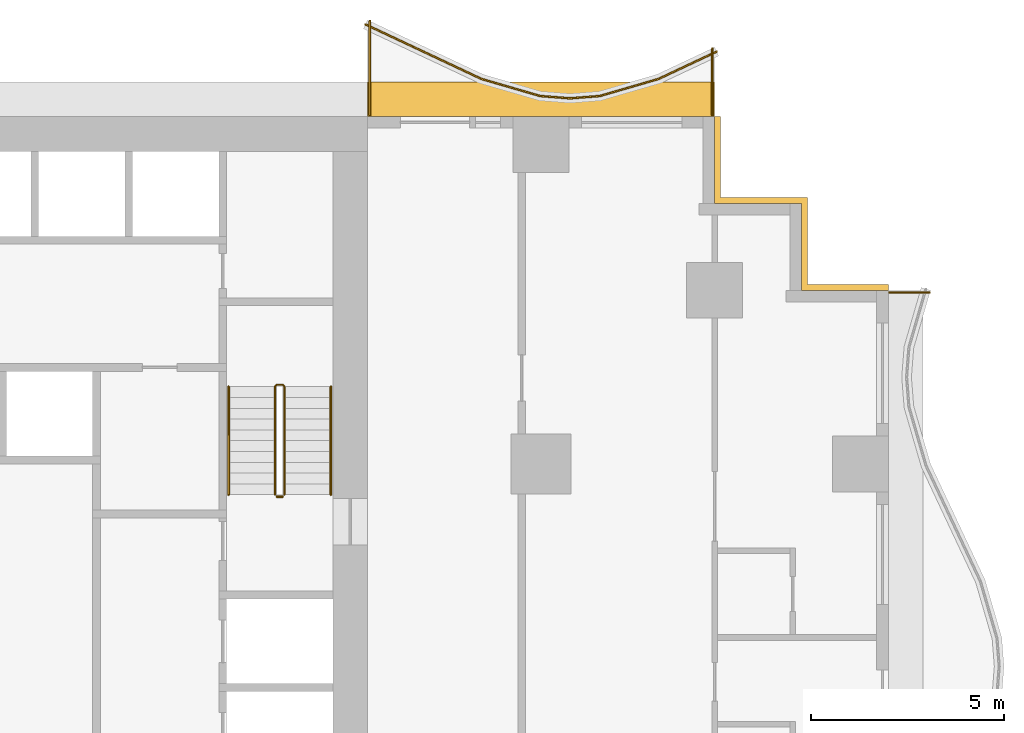
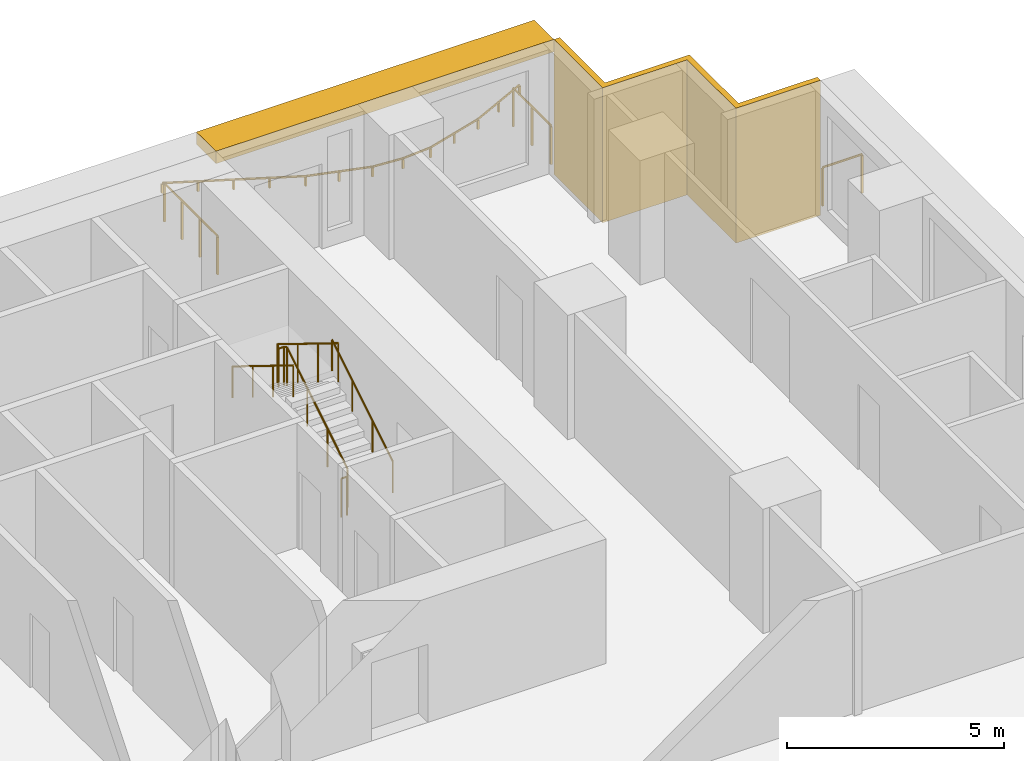
# One storey, part 14 of 14: 8 railings, 2 shading devices.
"""IFC4 building model written with IfcOpenShell, lengths in metres."""

import ifcopenshell
import ifcopenshell.guid

model = None  # the IFC model being written
_history = None  # IfcOwnerHistory: only IFC2X3 demands one
_inside = {}  # id of a spatial element -> (the spatial element, [elements in it])
_under = {}  # id of a project, library or spatial element -> (it, [spatial elements below it])
_declared = {}  # id of a project -> (the project, [libraries it declares])
_typed = {}  # id of a type object -> (the type object, [elements of that type])
_made_of = {}  # id of a material, layer set ... -> (it, [elements and type objects made of it])


def new_model(schema):
    """Start an empty IFC model of exactly this schema.

    Asked for "IFC4X3", IfcOpenShell would pick the latest addendum, in which some entities
    have other attributes; the version numbers below select the first issue.
    IFC2X3 requires an IfcOwnerHistory on every rooted entity: one is made here for all.
    """
    global model, _history
    if schema == "IFC4X3":
        model = ifcopenshell.file(schema_version=(4, 3, 0, 0))
    else:
        model = ifcopenshell.file(schema=schema)
    _inside.clear()
    _under.clear()
    _declared.clear()
    _typed.clear()
    _made_of.clear()
    _history = None
    if model.schema == "IFC2X3":
        org = make("IfcOrganization", Name="unknown")
        user = make(
            "IfcPersonAndOrganization",
            ThePerson=make("IfcPerson", FamilyName="unknown"),
            TheOrganization=org,
        )
        app = make(
            "IfcApplication",
            ApplicationDeveloper=org,
            Version="unknown",
            ApplicationFullName="unknown",
            ApplicationIdentifier="unknown",
        )
        _history = make(
            "IfcOwnerHistory",
            OwningUser=user,
            OwningApplication=app,
            ChangeAction="ADDED",
            CreationDate=0,
        )
    return model


def make(cls, **values):
    """One entity of the class cls with the attributes given. An attribute that is None is left unset."""
    return model.create_entity(
        cls, **{name: value for name, value in values.items() if value is not None}
    )


def rooted(cls, **values):
    """An entity with a GlobalId (a new one), such as an element, a storey or a relation."""
    return make(cls, GlobalId=ifcopenshell.guid.new(), OwnerHistory=_history, **values)


def si_unit(unit_type, name, prefix=None):
    """IfcSIUnit, for example si_unit("LENGTHUNIT", "METRE", prefix="MILLI")."""
    return make("IfcSIUnit", UnitType=unit_type, Prefix=prefix, Name=name)


def assignment(units):
    """IfcUnitAssignment: the units of a project."""
    return None if units is None else make("IfcUnitAssignment", Units=units)


def point(xyz):
    """IfcCartesianPoint."""
    return None if xyz is None else make("IfcCartesianPoint", Coordinates=xyz)


def direction(xyz):
    """IfcDirection."""
    return None if xyz is None else make("IfcDirection", DirectionRatios=xyz)


def frame(location, z_axis=None, x_axis=None):
    """IfcAxis2Placement3D, a coordinate frame: its origin and axes. An axis left out is left unset."""
    return make(
        "IfcAxis2Placement3D",
        Location=point(location),
        Axis=direction(z_axis),
        RefDirection=direction(x_axis),
    )


def frame_2d(location, x_axis=None):
    """IfcAxis2Placement2D, a coordinate frame in the plane: its origin and x axis."""
    return make(
        "IfcAxis2Placement2D", Location=point(location), RefDirection=direction(x_axis)
    )


def origin():
    """The frame at (0, 0, 0) with its axes left unset."""
    return frame((0.0, 0.0, 0.0))


def origin_2d():
    """The frame at (0, 0) in the plane with its x axis left unset."""
    return frame_2d((0.0, 0.0))


def place(relative_to, where):
    """IfcLocalPlacement: puts the frame where relative to a parent placement (None: the world)."""
    return make(
        "IfcLocalPlacement", PlacementRelTo=relative_to, RelativePlacement=where
    )


def context(
    kind, dimensions, precision=None, world=None, true_north=None, identifier=None
):
    """IfcGeometricRepresentationContext, for example the 3D "Model" context."""
    return make(
        "IfcGeometricRepresentationContext",
        ContextIdentifier=identifier,
        ContextType=kind,
        CoordinateSpaceDimension=dimensions,
        Precision=precision,
        WorldCoordinateSystem=world,
        TrueNorth=true_north,
    )


def subcontext(parent, identifier, kind, view, scale=None):
    """IfcGeometricRepresentationSubContext, for example "Body" below "Model"."""
    return make(
        "IfcGeometricRepresentationSubContext",
        ContextIdentifier=identifier,
        ContextType=kind,
        ParentContext=parent,
        TargetScale=scale,
        TargetView=view,
    )


def project(units=None, contexts=None):
    """IfcProject with its units and contexts."""
    return rooted(
        "IfcProject",
        Name="project",
        RepresentationContexts=contexts,
        UnitsInContext=assignment(units),
    )


def spatial(cls, under=None, at=None, **own):
    """A site, building, storey or space (cls), placed at a placement, below another one or the project."""
    s = rooted(cls, ObjectPlacement=at, **own)
    if under is not None:
        _under.setdefault(under.id(), (under, []))[1].append(s)
    return s


def polyline(points):
    """IfcPolyline through the points."""
    return make("IfcPolyline", Points=[point(p) for p in points])


def profile(cls, at=None, kind="AREA", **sizes):
    """A parametric profile (cls). Its sizes go by their IFC names, for example OverallWidth=200.0."""
    return make(cls, ProfileType=kind, Position=at, **sizes)


def rectangle(**sizes):
    """IfcRectangleProfileDef."""
    return profile("IfcRectangleProfileDef", **sizes)


def circle(**sizes):
    """IfcCircleProfileDef."""
    return profile("IfcCircleProfileDef", **sizes)


def outline(outer, holes=None, kind="AREA"):
    """IfcArbitraryClosedProfileDef: a profile drawn as a closed curve; with holes, ...WithVoids."""
    if holes is None:
        return make("IfcArbitraryClosedProfileDef", ProfileType=kind, OuterCurve=outer)
    return make(
        "IfcArbitraryProfileDefWithVoids",
        ProfileType=kind,
        OuterCurve=outer,
        InnerCurves=holes,
    )


def extrude(swept, where, along, depth):
    """IfcExtrudedAreaSolid: the profile swept, set in the frame where, extruded along a direction by depth."""
    return make(
        "IfcExtrudedAreaSolid",
        SweptArea=swept,
        Position=where,
        ExtrudedDirection=direction(along),
        Depth=depth,
    )


def shape(context_of_items, identifier, shape_type, items):
    """IfcShapeRepresentation: the items that make up one representation, for example the "Body"."""
    return make(
        "IfcShapeRepresentation",
        ContextOfItems=context_of_items,
        RepresentationIdentifier=identifier,
        RepresentationType=shape_type,
        Items=items,
    )


def material(Name=None, Category=None):
    """IfcMaterial."""
    return make("IfcMaterial", Name=Name, Category=Category)


def layer(
    of_material, thickness, ventilated=None, Name=None, Category=None, Priority=None
):
    """IfcMaterialLayer: one layer of a wall or slab, of a material (None: an air gap)."""
    return make(
        "IfcMaterialLayer",
        Material=of_material,
        LayerThickness=thickness,
        IsVentilated=ventilated,
        Name=Name,
        Category=Category,
        Priority=Priority,
    )


def layer_set(layers, Name=None):
    """IfcMaterialLayerSet."""
    return make("IfcMaterialLayerSet", MaterialLayers=layers, LayerSetName=Name)


def made_of(thing, what):
    """Note that an element or type object is made of a material, layer set ...; save() writes the relation."""
    if what is not None:
        _made_of.setdefault(what.id(), (what, []))[1].append(thing)
    return thing


def type_object(cls, material=None, **own):
    """A type object (cls), such as IfcWallType, which elements share."""
    return made_of(rooted(cls, **own), material)


def element(
    cls,
    number,
    at=None,
    inside=None,
    cuts=None,
    type_object=None,
    material=None,
    context=None,
    identifier="Body",
    shape_type=None,
    held_by="IfcProductDefinitionShape",
    body=None,
    shapes=None,
    **own,
):
    """One element of the class cls, such as IfcWall. Its Tag is "e" and its number.

    at: its placement. inside: the storey or other place that contains it. cuts: it is an
    opening in that element (IfcRelVoidsElement). A single representation is given by context,
    identifier, shape_type and body (its items); several are given by shapes. held_by: the class
    of the entity that holds the representations. save() writes the other relations.
    """
    e = rooted(cls, Tag="e%d" % number, ObjectPlacement=at, **own)
    if body is not None:
        shapes = [shape(context, identifier, shape_type, body)]
    if shapes is not None:
        e.Representation = make(held_by, Representations=shapes)
    if inside is not None:
        _inside.setdefault(inside.id(), (inside, []))[1].append(e)
    if cuts is not None:
        rooted(
            "IfcRelVoidsElement", RelatingBuildingElement=cuts, RelatedOpeningElement=e
        )
    if type_object is not None:
        _typed.setdefault(type_object.id(), (type_object, []))[1].append(e)
    return made_of(e, material)


def aggregate(whole, parts):
    """IfcRelAggregates: a whole, such as a stair, and the parts it consists of."""
    return rooted("IfcRelAggregates", RelatingObject=whole, RelatedObjects=parts)


def save(model, path):
    """Write the relations noted so far, then the file.

    IfcRelAggregates (storeys below a building ...), IfcRelContainedInSpatialStructure (elements
    in a storey), IfcRelDefinesByType, IfcRelAssociatesMaterial and IfcRelDeclares: one each for
    every whole, place, type object, material and project.
    """
    for whole, parts in _under.values():
        aggregate(whole, parts)
    for where, things in _inside.values():
        rooted(
            "IfcRelContainedInSpatialStructure",
            RelatedElements=things,
            RelatingStructure=where,
        )
    for kind, things in _typed.values():
        rooted("IfcRelDefinesByType", RelatedObjects=things, RelatingType=kind)
    for what, things in _made_of.values():
        rooted("IfcRelAssociatesMaterial", RelatedObjects=things, RelatingMaterial=what)
    for by, libraries in _declared.values():
        rooted("IfcRelDeclares", RelatingContext=by, RelatedDefinitions=libraries)
    model.write(path)


model = new_model("IFC4")

# Units and contexts
model_context = context("Model", 3, precision=1e-05, world=origin(), true_north=direction((0.0, 1.0)))
body_context = subcontext(model_context, "Body", "Model", "MODEL_VIEW")
ifc_project = project(units=[si_unit("LENGTHUNIT", "METRE"), si_unit("AREAUNIT", "SQUARE_METRE"), si_unit("VOLUMEUNIT", "CUBIC_METRE"), si_unit("PLANEANGLEUNIT", "RADIAN"), si_unit("MASSUNIT", "GRAM", prefix="KILO")], contexts=[model_context])

# Site, building, storey
site_placement = place(None, origin())
site = spatial("IfcSite", under=ifc_project, at=site_placement, CompositionType="ELEMENT")
building_placement = place(site_placement, origin())
building = spatial("IfcBuilding", under=site, at=building_placement, Name="Orbiselva Terraces", CompositionType="ELEMENT")
storey_placement = place(building_placement, frame((0.0, 0.0, 30.2)))
storey = spatial("IfcBuildingStorey", under=building, at=storey_placement, Name="L07", CompositionType="ELEMENT", Elevation=30.2)

# Railings
ifc_material_1 = material(Name="Stainless steel", Category="steel")
railing_type_1 = type_object("IfcRailingType", Name="CORE-GUARD-1100", PredefinedType="GUARDRAIL", material=ifc_material_1)
railing_1_placement = place(storey_placement, frame((11.35, 12.7, 0.172727)))
element("IfcRailing", 1, at=railing_1_placement, inside=storey, type_object=railing_type_1, Name="L07 S2 stair guard 1", PredefinedType="GUARDRAIL", context=body_context, shape_type="SweptSolid", body=[
    extrude(circle(Radius=0.024, at=origin_2d()), frame((0.0, 0.0, 1.081), z_axis=(0.0, 0.851088519012, 0.52502222125), x_axis=(-1.0, 0.0, 0.0)), (0.0, 0.0, 1.0), 3.289905),
    extrude(circle(Radius=0.024, at=origin_2d()), frame((0.0, 2.8, 2.808273), z_axis=(-0.707106781187, 0.707106781187, 0.0), x_axis=(-0.707106781187, -0.707106781187, 0.0)), (0.0, 0.0, 1.0), 0.070711),
    extrude(circle(Radius=0.024, at=origin_2d()), frame((-0.05, 2.85, 2.808273), z_axis=(-1.0, 0.0, 0.0), x_axis=(0.0, -1.0, 0.0)), (0.0, 0.0, 1.0), 0.15),
    extrude(circle(Radius=0.024, at=origin_2d()), frame((-0.2, 2.85, 2.808273), z_axis=(-0.267894925557, -0.267894925557, 0.925453736133), x_axis=(0.707106781187, -0.707106781187, 0.0)), (0.0, 0.0, 1.0), 0.18664),
    extrude(circle(Radius=0.024, at=origin_2d()), frame((-0.25, 2.8, 2.981), z_axis=(0.0, -0.851088519012, 0.52502222125), x_axis=(1.0, 0.0, 0.0)), (0.0, 0.0, 1.0), 3.289905),
    extrude(circle(Radius=0.021, at=origin_2d()), origin(), (0.0, 0.0, 1.0), 1.057),
    extrude(circle(Radius=0.021, at=origin_2d()), frame((0.0, 0.933333, 0.575758)), (0.0, 0.0, 1.0), 1.057),
    extrude(circle(Radius=0.021, at=origin_2d()), frame((0.0, 1.866667, 1.151515)), (0.0, 0.0, 1.0), 1.057),
    extrude(circle(Radius=0.021, at=origin_2d()), frame((0.0, 2.8, 1.727273)), (0.0, 0.0, 1.0), 1.057),
    extrude(circle(Radius=0.021, at=origin_2d()), frame((-0.05, 2.85, 1.727273)), (0.0, 0.0, 1.0), 1.057),
    extrude(circle(Radius=0.021, at=origin_2d()), frame((-0.2, 2.85, 1.727273)), (0.0, 0.0, 1.0), 1.057),
    extrude(circle(Radius=0.021, at=origin_2d()), frame((-0.25, 2.8, 1.9)), (0.0, 0.0, 1.0), 1.057),
    extrude(circle(Radius=0.021, at=origin_2d()), frame((-0.25, 1.866667, 2.475758)), (0.0, 0.0, 1.0), 1.057),
    extrude(circle(Radius=0.021, at=origin_2d()), frame((-0.25, 0.933333, 3.051515)), (0.0, 0.0, 1.0), 1.057),
    extrude(circle(Radius=0.021, at=origin_2d()), frame((-0.25, 0.0, 3.627273)), (0.0, 0.0, 1.0), 1.057),
])
railing_2_placement = place(storey_placement, frame((11.3, 12.65, 0.0)))
element("IfcRailing", 2, at=railing_2_placement, inside=storey, type_object=railing_type_1, Name="L07 S2 stair guard 2", PredefinedType="GUARDRAIL", context=body_context, shape_type="SweptSolid", body=[
    extrude(circle(Radius=0.024, at=origin_2d()), frame((0.0, 0.0, 1.081), z_axis=(-1.0, 0.0, 0.0), x_axis=(0.0, -1.0, 0.0)), (0.0, 0.0, 1.0), 0.15),
    extrude(circle(Radius=0.021, at=origin_2d()), origin(), (0.0, 0.0, 1.0), 1.057),
    extrude(circle(Radius=0.021, at=origin_2d()), frame((-0.15, 0.0, 0.0)), (0.0, 0.0, 1.0), 1.057),
])
railing_type_2 = type_object("IfcRailingType", Name="CORE-HANDRAIL-900", PredefinedType="HANDRAIL", material=ifc_material_1)
railing_3_placement = place(storey_placement, frame((12.55, 12.7, 0.172727)))
element("IfcRailing", 3, at=railing_3_placement, inside=storey, type_object=railing_type_2, Name="L07 S2 stair handrail 1", PredefinedType="HANDRAIL", context=body_context, shape_type="SweptSolid", body=[
    extrude(circle(Radius=0.024, at=origin_2d()), frame((0.0, 0.0, 0.876), z_axis=(0.0, 0.851088519012, 0.52502222125), x_axis=(-1.0, 0.0, 0.0)), (0.0, 0.0, 1.0), 3.289905),
    extrude(circle(Radius=0.021, at=origin_2d()), origin(), (0.0, 0.0, 1.0), 0.852),
    extrude(circle(Radius=0.021, at=origin_2d()), frame((0.0, 0.933333, 0.575758)), (0.0, 0.0, 1.0), 0.852),
    extrude(circle(Radius=0.021, at=origin_2d()), frame((0.0, 1.866667, 1.151515)), (0.0, 0.0, 1.0), 0.852),
    extrude(circle(Radius=0.021, at=origin_2d()), frame((0.0, 2.8, 1.727273)), (0.0, 0.0, 1.0), 0.852),
])
railing_4_placement = place(storey_placement, frame((9.9, 15.5, 2.072727)))
element("IfcRailing", 4, at=railing_4_placement, inside=storey, type_object=railing_type_2, Name="L07 S2 stair handrail 2", PredefinedType="HANDRAIL", context=body_context, shape_type="SweptSolid", body=[
    extrude(circle(Radius=0.024, at=origin_2d()), frame((0.0, 0.0, 0.876), z_axis=(0.0, -0.851088519012, 0.52502222125), x_axis=(1.0, 0.0, 0.0)), (0.0, 0.0, 1.0), 3.289905),
    extrude(circle(Radius=0.021, at=origin_2d()), origin(), (0.0, 0.0, 1.0), 0.852),
    extrude(circle(Radius=0.021, at=origin_2d()), frame((0.0, -0.933333, 0.575758)), (0.0, 0.0, 1.0), 0.852),
    extrude(circle(Radius=0.021, at=origin_2d()), frame((0.0, -1.866667, 1.151515)), (0.0, 0.0, 1.0), 0.852),
    extrude(circle(Radius=0.021, at=origin_2d()), frame((0.0, -2.8, 1.727273)), (0.0, 0.0, 1.0), 0.852),
])
ifc_material_2 = material(Name="Bonded two-ply safety glass balustrade, stainless steel posts", Category="steel")
railing_type_3 = type_object("IfcRailingType", Name="ENV-BALUSTRADE-1200", PredefinedType="BALUSTRADE", material=ifc_material_2)
railing_5_placement = place(storey_placement, frame((22.553191, 24.186882, 0.9)))
element("IfcRailing", 5, at=railing_5_placement, inside=storey, type_object=railing_type_3, Name="Balcony balustrade L07 NE", PredefinedType="BALUSTRADE", context=body_context, shape_type="SweptSolid", body=[
    extrude(outline(polyline([(0.028868, 0.0), (0.014434, 0.025), (-0.014434, 0.025), (-0.028868, 0.0), (-0.014434, -0.025), (0.014434, -0.025), (0.028868, 0.0)])), frame((0.0, 0.0, 0.275), z_axis=(-0.904944157382, -0.425530342069, 0.0), x_axis=(0.425530342069, -0.904944157382, 0.0)), (0.0, 0.0, 1.0), 1.667376),
    extrude(outline(polyline([(0.028868, 0.0), (0.014434, 0.025), (-0.014434, 0.025), (-0.028868, 0.0), (-0.014434, -0.025), (0.014434, -0.025), (0.028868, 0.0)])), frame((-1.508882, -0.709519, 0.275), z_axis=(-0.960270491427, -0.279070928786, 0.0), x_axis=(0.279070928786, -0.960270491427, 0.0)), (0.0, 0.0, 1.0), 1.584712),
    extrude(outline(polyline([(0.028868, 0.0), (0.014434, 0.025), (-0.014434, 0.025), (-0.028868, 0.0), (-0.014434, -0.025), (0.014434, -0.025), (0.028868, 0.0)])), frame((-3.030634, -1.151766, 0.275), z_axis=(-0.996947796737, -0.078071061106, 0.0), x_axis=(0.078071061106, -0.996947796737, 0.0)), (0.0, 0.0, 1.0), 0.774922),
    extrude(outline(polyline([(0.028868, 0.0), (0.014434, 0.025), (-0.014434, 0.025), (-0.028868, 0.0), (-0.014434, -0.025), (0.014434, -0.025), (0.028868, 0.0)])), frame((-3.803191, -1.212265, 0.275), z_axis=(-0.996947796737, 0.078071061106, 0.0), x_axis=(-0.078071061106, -0.996947796737, 0.0)), (0.0, 0.0, 1.0), 0.774922),
    extrude(outline(polyline([(0.028868, 0.0), (0.014434, 0.025), (-0.014434, 0.025), (-0.028868, 0.0), (-0.014434, -0.025), (0.014434, -0.025), (0.028868, 0.0)])), frame((-4.575748, -1.151766, 0.275), z_axis=(-0.960270491427, 0.279070928786, 0.0), x_axis=(-0.279070928786, -0.960270491427, 0.0)), (0.0, 0.0, 1.0), 1.584712),
    extrude(outline(polyline([(0.028868, 0.0), (0.014434, 0.025), (-0.014434, 0.025), (-0.028868, 0.0), (-0.014434, -0.025), (0.014434, -0.025), (0.028868, 0.0)])), frame((-6.0975, -0.709519, 0.275), z_axis=(-0.904944157382, 0.425530342069, 0.0), x_axis=(-0.425530342069, -0.904944157382, 0.0)), (0.0, 0.0, 1.0), 1.667376),
    extrude(outline(polyline([(0.028868, 0.0), (0.014434, 0.025), (-0.014434, 0.025), (-0.028868, 0.0), (-0.014434, -0.025), (0.014434, -0.025), (0.028868, 0.0)])), frame((-7.606382, 0.0, 0.275), z_axis=(-0.904944257823, 0.425530128467, 0.0), x_axis=(-0.425530128467, -0.904944257823, 0.0)), (0.0, 0.0, 1.0), 1.657561),
    extrude(rectangle(XDim=0.05, YDim=0.05, at=origin_2d()), origin(), (0.0, 0.0, 1.0), 0.25),
    extrude(rectangle(XDim=0.05, YDim=0.05, at=origin_2d()), frame((-0.754441, -0.35476, 0.0)), (0.0, 0.0, 1.0), 0.25),
    extrude(rectangle(XDim=0.05, YDim=0.05, at=origin_2d()), frame((-1.508882, -0.709519, 0.0)), (0.0, 0.0, 1.0), 0.25),
    extrude(rectangle(XDim=0.05, YDim=0.05, at=origin_2d()), frame((-2.269758, -0.930643, 0.0)), (0.0, 0.0, 1.0), 0.25),
    extrude(rectangle(XDim=0.05, YDim=0.05, at=origin_2d()), frame((-3.030634, -1.151766, 0.0)), (0.0, 0.0, 1.0), 0.25),
    extrude(rectangle(XDim=0.05, YDim=0.05, at=origin_2d()), frame((-3.803191, -1.212265, 0.0)), (0.0, 0.0, 1.0), 0.25),
    extrude(rectangle(XDim=0.05, YDim=0.05, at=origin_2d()), frame((-4.575748, -1.151766, 0.0)), (0.0, 0.0, 1.0), 0.25),
    extrude(rectangle(XDim=0.05, YDim=0.05, at=origin_2d()), frame((-5.336624, -0.930643, 0.0)), (0.0, 0.0, 1.0), 0.25),
    extrude(rectangle(XDim=0.05, YDim=0.05, at=origin_2d()), frame((-6.0975, -0.709519, 0.0)), (0.0, 0.0, 1.0), 0.25),
    extrude(rectangle(XDim=0.05, YDim=0.05, at=origin_2d()), frame((-6.851941, -0.35476, 0.0)), (0.0, 0.0, 1.0), 0.25),
    extrude(rectangle(XDim=0.05, YDim=0.05, at=origin_2d()), frame((-7.606382, 0.0, 0.0)), (0.0, 0.0, 1.0), 0.25),
    extrude(rectangle(XDim=0.05, YDim=0.05, at=origin_2d()), frame((-8.356382, 0.352671, 0.0)), (0.0, 0.0, 1.0), 0.25),
    extrude(rectangle(XDim=0.05, YDim=0.05, at=origin_2d()), frame((-9.106382, 0.705342, 0.0)), (0.0, 0.0, 1.0), 0.25),
])
ifc_material_3 = material(Name="Stainless steel rail and posts", Category="steel")
railing_type_4 = type_object("IfcRailingType", Name="ENV-GUARD-1105", PredefinedType="BALUSTRADE", material=ifc_material_3)
railing_6_placement = place(storey_placement, frame((28.070484, 17.94, 0.0)))
element("IfcRailing", 6, at=railing_6_placement, inside=storey, type_object=railing_type_4, Name="Balcony end guard L07 E", PredefinedType="BALUSTRADE", context=body_context, shape_type="SweptSolid", body=[
    extrude(outline(polyline([(0.028868, 0.0), (0.014434, 0.025), (-0.014434, 0.025), (-0.028868, 0.0), (-0.014434, -0.025), (0.014434, -0.025), (0.028868, 0.0)])), frame((0.0, 0.0, 1.08), z_axis=(-1.0, 0.0, 0.0), x_axis=(0.0, -1.0, 0.0)), (0.0, 0.0, 1.0), 1.045484),
    extrude(rectangle(XDim=0.05, YDim=0.05, at=origin_2d()), origin(), (0.0, 0.0, 1.0), 1.055),
    extrude(rectangle(XDim=0.05, YDim=0.05, at=origin_2d()), frame((-1.045484, 0.0, 0.0)), (0.0, 0.0, 1.0), 1.055),
])
railing_7_placement = place(storey_placement, frame((22.44, 24.269844, 0.0)))
element("IfcRailing", 7, at=railing_7_placement, inside=storey, type_object=railing_type_4, Name="Balcony end guard L07 NE", PredefinedType="BALUSTRADE", context=body_context, shape_type="SweptSolid", body=[
    extrude(outline(polyline([(0.028868, 0.0), (0.014434, 0.025), (-0.014434, 0.025), (-0.028868, 0.0), (-0.014434, -0.025), (0.014434, -0.025), (0.028868, 0.0)])), frame((0.0, 0.0, 1.08), z_axis=(0.0, -1.0, 0.0), x_axis=(1.0, 0.0, 0.0)), (0.0, 0.0, 1.0), 1.744844),
    extrude(rectangle(XDim=0.05, YDim=0.05, at=origin_2d()), origin(), (0.0, 0.0, 1.0), 1.055),
    extrude(rectangle(XDim=0.05, YDim=0.05, at=origin_2d()), frame((0.0, -0.872422, 0.0)), (0.0, 0.0, 1.0), 1.055),
    extrude(rectangle(XDim=0.05, YDim=0.05, at=origin_2d()), frame((0.0, -1.744844, 0.0)), (0.0, 0.0, 1.0), 1.055),
])
railing_8_placement = place(storey_placement, frame((13.56, 24.980723, 0.0)))
element("IfcRailing", 8, at=railing_8_placement, inside=storey, type_object=railing_type_4, Name="Balcony end guard L07 NE", PredefinedType="BALUSTRADE", context=body_context, shape_type="SweptSolid", body=[
    extrude(outline(polyline([(0.028868, 0.0), (0.014434, 0.025), (-0.014434, 0.025), (-0.028868, 0.0), (-0.014434, -0.025), (0.014434, -0.025), (0.028868, 0.0)])), frame((0.0, 0.0, 1.08), z_axis=(0.0, -1.0, 0.0), x_axis=(1.0, 0.0, 0.0)), (0.0, 0.0, 1.0), 2.455723),
    extrude(rectangle(XDim=0.05, YDim=0.05, at=origin_2d()), origin(), (0.0, 0.0, 1.0), 1.055),
    extrude(rectangle(XDim=0.05, YDim=0.05, at=origin_2d()), frame((0.0, -0.818574, 0.0)), (0.0, 0.0, 1.0), 1.055),
    extrude(rectangle(XDim=0.05, YDim=0.05, at=origin_2d()), frame((0.0, -1.637149, 0.0)), (0.0, 0.0, 1.0), 1.055),
    extrude(rectangle(XDim=0.05, YDim=0.05, at=origin_2d()), frame((0.0, -2.455723, 0.0)), (0.0, 0.0, 1.0), 1.055),
])

# Shading devices
ifc_material_4 = material(Name="Terracotta louvre screen", Category="masonry")
ifc_layer_1 = layer(ifc_material_4, 0.15)
ifc_layer_set_1 = layer_set([ifc_layer_1], Name="Terracotta louvre screen")
shading_device_type_1 = type_object("IfcShadingDeviceType", Name="ENV-SCREEN-150", PredefinedType="USERDEFINED", material=ifc_layer_set_1)
shading_device_1_placement = place(storey_placement, frame((0.0, 0.0, -0.3)))
element("IfcShadingDevice", 9, at=shading_device_1_placement, inside=storey, type_object=shading_device_type_1, Name="Louvre screen L07 NE", ObjectType="SCREEN", PredefinedType="USERDEFINED", context=body_context, shape_type="SweptSolid", body=[
    extrude(outline(polyline([(27.0, 18.15), (24.9, 18.15), (24.9, 20.4), (22.65, 20.4), (22.65, 22.5), (22.5, 22.5), (22.5, 20.25), (24.75, 20.25), (24.75, 18.0), (27.0, 18.0), (27.0, 18.15)])), origin(), (0.0, 0.0, 1.0), 3.8),
])
ifc_material_5 = material(Name="Terracotta baguette sunshade", Category="masonry")
ifc_layer_2 = layer(ifc_material_5, 0.35)
ifc_layer_set_2 = layer_set([ifc_layer_2], Name="Terracotta baguette sunshade")
shading_device_type_2 = type_object("IfcShadingDeviceType", Name="ENV-SUNSHADE-900x350", PredefinedType="USERDEFINED", material=ifc_layer_set_2)
shading_device_2_placement = place(storey_placement, frame((0.0, 0.0, 3.15)))
element("IfcShadingDevice", 10, at=shading_device_2_placement, inside=storey, type_object=shading_device_type_2, Name="Sunshade band L07 NE", ObjectType="SUNSHADE", PredefinedType="USERDEFINED", context=body_context, shape_type="SweptSolid", body=[
    extrude(outline(polyline([(22.5, 23.4), (13.5, 23.4), (13.5, 22.5), (22.5, 22.5), (22.5, 23.4)])), origin(), (0.0, 0.0, 1.0), 0.35),
])

save(model, "model.ifc")
